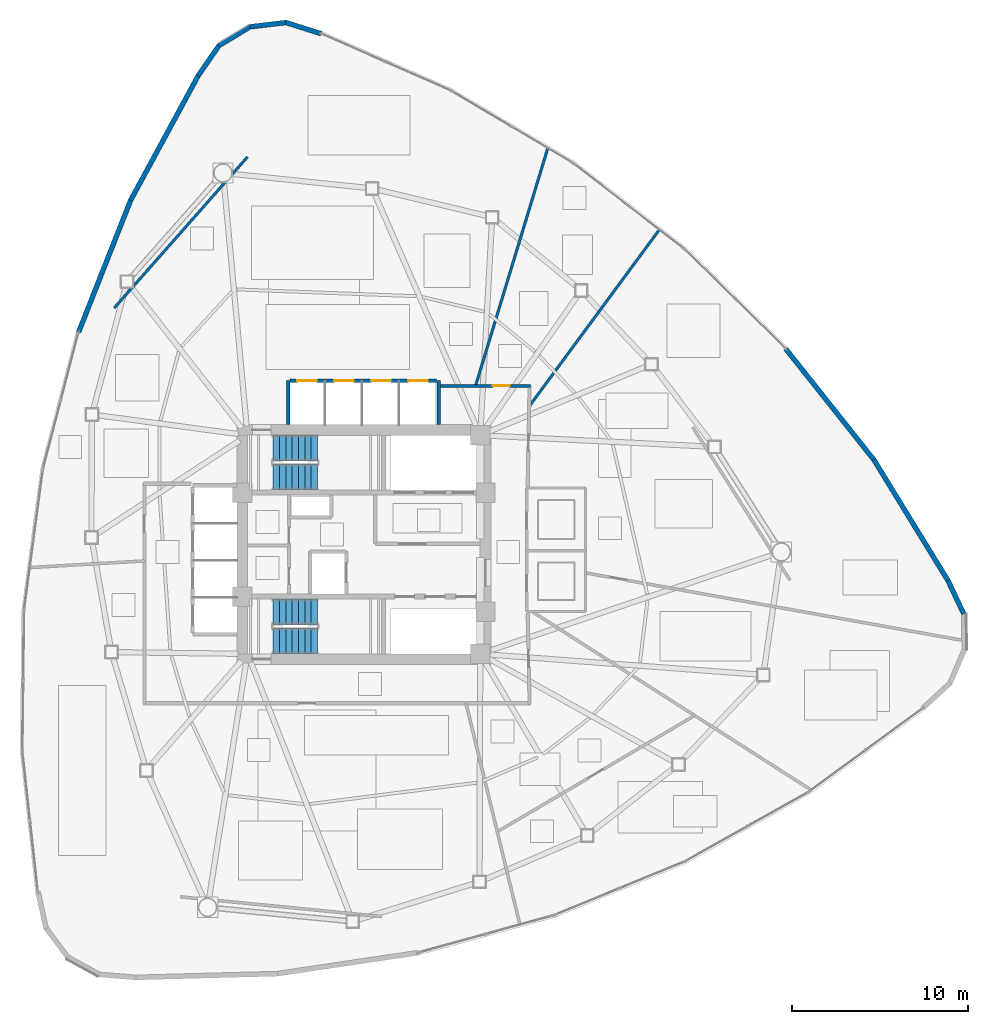
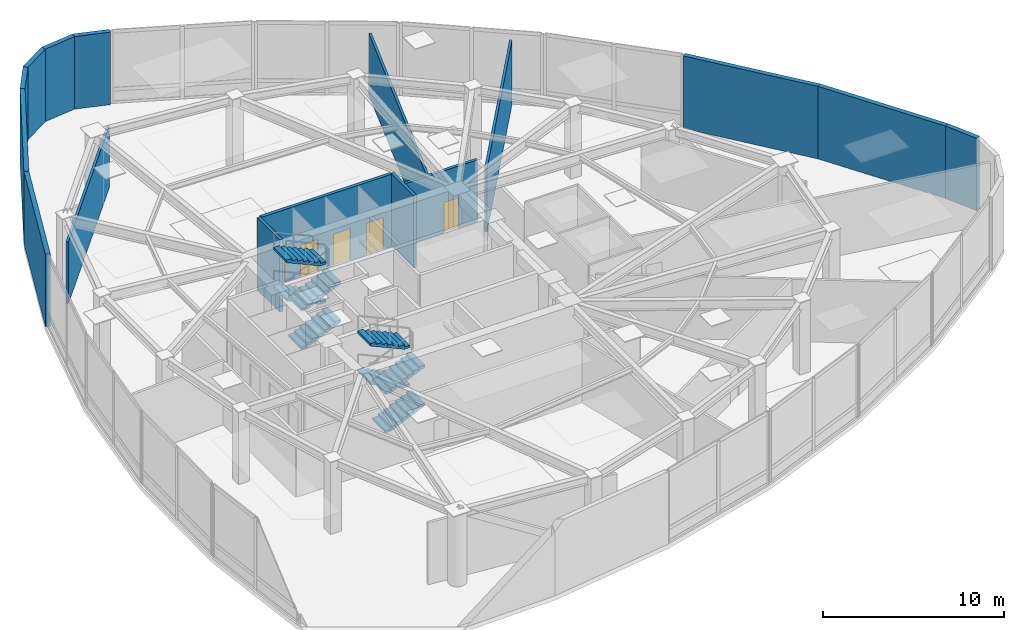
# One storey, part 11 of 14: 16 walls, 8 stair flights, 5 doors, 5 openings, 2 elements without a shape of their own.
"""IFC4 building model written with IfcOpenShell, lengths in metres."""

from ifc_helpers import new_model, si_unit, direction, frame, frame_2d, origin, place, context, subcontext, project, spatial, polyline, rectangle, outline, extrude, material, layer, layer_set, type_object, element, fill, aggregate, save


model = new_model("IFC4")

# Units and contexts
model_context = context("Model", 3, precision=1e-05, world=origin(), true_north=direction((0.0, 1.0)))
body_context = subcontext(model_context, "Body", "Model", "MODEL_VIEW")
ifc_project = project(units=[si_unit("LENGTHUNIT", "METRE"), si_unit("AREAUNIT", "SQUARE_METRE"), si_unit("VOLUMEUNIT", "CUBIC_METRE"), si_unit("PLANEANGLEUNIT", "RADIAN"), si_unit("MASSUNIT", "GRAM", prefix="KILO")], contexts=[model_context])

# Site, building, storey
site_placement = place(None, origin())
site = spatial("IfcSite", under=ifc_project, at=site_placement, CompositionType="ELEMENT")
building_placement = place(site_placement, origin())
building = spatial("IfcBuilding", under=site, at=building_placement, Name="Tavelor Broadcast Tower", CompositionType="ELEMENT")
storey_placement = place(building_placement, frame((0.0, 0.0, 110.39990234375)))
storey = spatial("IfcBuildingStorey", under=building, at=storey_placement, Name="L25", CompositionType="ELEMENT", Elevation=110.39990234375)

# Wall, opening, door
ifc_material_1 = material(Name="Calcium Silicate Fire Board 180 mm", Category="gypsum")
ifc_layer_1 = layer(ifc_material_1, 0.179931640625)
ifc_layer_set_1 = layer_set([ifc_layer_1], Name="Calcium Silicate Fire Board 180 mm")
wall_type_1 = type_object("IfcWallType", Name="Fire-Rated Corridor Partition Wall 180 mm", PredefinedType="PARTITIONING", material=ifc_layer_set_1)
wall_1_placement = place(storey_placement, frame((54.300048828125, 54.0, 0.0), z_axis=(0.0, 0.0, 1.0), x_axis=(1.0, 0.0, 0.0)))
wall_1 = element("IfcWall", 1, at=wall_1_placement, inside=storey, type_object=wall_type_1, Name="L25 Corridor Compartment Wall 01", PredefinedType="PARTITIONING", context=body_context, shape_type="SweptSolid", body=[
    extrude(rectangle(XDim=5.14990234375, YDim=0.179931640625, at=frame_2d((2.574951171875, 0.0))), origin(), (0.0, 0.0, 1.0), 4.18505859375),
])
opening_1_placement = place(wall_1_placement, frame((3.017578125, 0.0, 0.0)))
opening_1 = element("IfcOpeningElement", 2, at=opening_1_placement, cuts=wall_1, Name="Opening DR18", PredefinedType="OPENING", context=body_context, shape_type="SweptSolid", body=[
    extrude(rectangle(XDim=0.949951171875, YDim=2.050048828125, at=frame_2d((0.47509765625, 1.02490234375))), frame((0.0, 0.10009765625, 0.0), z_axis=(0.0, -1.0, 0.0), x_axis=(1.0, 0.0, 0.0)), (0.0, 0.0, 1.0), 0.199951171875),
])
ifc_material_2 = material(Name="Timber Solid Core Hardwood", Category="wood")
door_type_1 = type_object("IfcDoorType", Name="Corridor Rated Compartment Door 950x2050", OperationType="NOTDEFINED", PredefinedType="DOOR", material=ifc_material_2)
door_1_placement = place(opening_1_placement, origin())
door_1 = element("IfcDoor", 3, at=door_1_placement, inside=storey, type_object=door_type_1, Name="L25 Editorial Quiet Study Door R5", OperationType="SINGLE_SWING_LEFT", OverallHeight=2.050048828125, OverallWidth=0.949951171875, PredefinedType="DOOR", context=body_context, shape_type="SweptSolid", body=[
    extrude(rectangle(XDim=0.949951171875, YDim=2.050048828125, at=frame_2d((0.47509765625, 1.02490234375))), frame((0.0, 0.02490234375, 0.0), z_axis=(0.0, -1.0, 0.0), x_axis=(1.0, 0.0, 0.0)), (0.0, 0.0, 1.0), 0.050048828125),
])
fill(opening_1, door_1)

# Walls
ifc_material_3 = material(Name="Precast Concrete C40/50", Category="concrete")
ifc_layer_2 = layer(ifc_material_3, 0.280029296875)
ifc_layer_set_2 = layer_set([ifc_layer_2], Name="Precast Concrete C40/50")
wall_type_2 = type_object("IfcWallType", Name="Insulated Precast Terracotta Facade Wall 280 mm", PredefinedType="STANDARD", material=ifc_layer_set_2)
wall_2_placement = place(storey_placement, frame((47.5712890625, 73.984375, 0.0), z_axis=(0.0, 0.0, 1.0), x_axis=(-0.953436539302, 0.301593709356, 0.0)))
element("IfcWall", 4, at=wall_2_placement, inside=storey, type_object=wall_type_2, Name="L25 Rounded Corner Structural Cladding Pier 01", PredefinedType="STANDARD", context=body_context, shape_type="SweptSolid", body=[
    extrude(rectangle(XDim=2.097412109375, YDim=0.280029296875, at=frame_2d((1.048828125, 0.0))), origin(), (0.0, 0.0, 1.0), 4.900146484375),
])
for number, where, z_axis, x_axis, name in (
    (5, (45.6005859375, 74.6142578125, 0.0), (0.0, 0.0, 1.0), (-0.993056805824, -0.117635795598, 0.0), "L25 Rounded Corner Structural Cladding Pier 02"),
    (6, (43.556884765625, 74.37841796875, 0.0), (0.0, 0.0, 1.0), (-0.856686297677, -0.515837752953, 0.0), "L25 Rounded Corner Structural Cladding Pier 03"),
):
    element("IfcWall", number, at=place(storey_placement, frame(where, z_axis=z_axis, x_axis=x_axis)), inside=storey, type_object=wall_type_2, Name=name, PredefinedType="STANDARD", context=body_context, shape_type="SweptSolid", body=[
        extrude(rectangle(XDim=2.085693359375, YDim=0.280029296875, at=frame_2d((1.04296875, 0.0))), origin(), (0.0, 0.0, 1.0), 4.900146484375),
    ])
wall_3_placement = place(storey_placement, frame((41.79150390625, 73.322509765625, 0.0), z_axis=(0.0, 0.0, 1.0), x_axis=(-0.568649881265, -0.822579669417, 0.0)))
element("IfcWall", 7, at=wall_3_placement, inside=storey, type_object=wall_type_2, Name="L25 Rounded Corner Structural Cladding Pier 04", PredefinedType="STANDARD", context=body_context, shape_type="SweptSolid", body=[
    extrude(rectangle(XDim=2.1083984375, YDim=0.280029296875, at=frame_2d((1.05419921875, 0.0))), origin(), (0.0, 0.0, 1.0), 4.900146484375),
])
wall_4_placement = place(storey_placement, frame((40.608154296875, 71.613525390625, 0.0), z_axis=(0.0, 0.0, 1.0), x_axis=(-0.476798704285, -0.879012511624, 0.0)))
element("IfcWall", 8, at=wall_4_placement, inside=storey, type_object=wall_type_2, Name="L25 Rounded Corner Structural Cladding Pier 05", PredefinedType="STANDARD", context=body_context, shape_type="SweptSolid", body=[
    extrude(rectangle(XDim=8.06884765625, YDim=0.280029296875, at=frame_2d((4.034423828125, 0.0))), origin(), (0.0, 0.0, 1.0), 4.900146484375),
])
wall_5_placement = place(storey_placement, frame((36.773681640625, 64.548095703125, 0.0), z_axis=(0.0, 0.0, 1.0), x_axis=(-0.366929878483, -0.93024860348, 0.0)))
element("IfcWall", 9, at=wall_5_placement, inside=storey, type_object=wall_type_2, Name="L25 Rounded Corner Structural Cladding Pier 06", PredefinedType="STANDARD", context=body_context, shape_type="SweptSolid", body=[
    extrude(rectangle(XDim=8.056884765625, YDim=0.280029296875, at=frame_2d((4.0283203125, 0.0))), origin(), (0.0, 0.0, 1.0), 4.900146484375),
])
wall_6_placement = place(storey_placement, frame((84.032470703125, 41.065185546875, 0.0), z_axis=(0.0, 0.0, 1.0), x_axis=(-0.428170954588, 0.903697755695, 0.0)))
element("IfcWall", 10, at=wall_6_placement, inside=storey, type_object=wall_type_2, Name="L25 Rounded Corner Structural Cladding Pier 24", PredefinedType="STANDARD", context=body_context, shape_type="SweptSolid", body=[
    extrude(rectangle(XDim=2.108642578125, YDim=0.280029296875, at=frame_2d((1.05419921875, 0.0))), origin(), (0.0, 0.0, 1.0), 4.900146484375),
])
wall_7_placement = place(storey_placement, frame((83.14404296875, 42.9443359375, 0.0), z_axis=(0.0, 0.0, 1.0), x_axis=(-0.522840865812, 0.852430307437, 0.0)))
element("IfcWall", 11, at=wall_7_placement, inside=storey, type_object=wall_type_2, Name="L25 Rounded Corner Structural Cladding Pier 25", PredefinedType="STANDARD", context=body_context, shape_type="SweptSolid", body=[
    extrude(rectangle(XDim=8.06884765625, YDim=0.280029296875, at=frame_2d((4.034423828125, 0.0))), origin(), (0.0, 0.0, 1.0), 4.900146484375),
])
wall_8_placement = place(storey_placement, frame((78.9423828125, 49.798095703125, 0.0), z_axis=(0.0, 0.0, 1.0), x_axis=(-0.622164130461, 0.782886833947, 0.0)))
element("IfcWall", 12, at=wall_8_placement, inside=storey, type_object=wall_type_2, Name="L25 Rounded Corner Structural Cladding Pier 26", PredefinedType="STANDARD", context=body_context, shape_type="SweptSolid", body=[
    extrude(rectangle(XDim=8.056884765625, YDim=0.280029296875, at=frame_2d((4.0283203125, 0.0))), origin(), (0.0, 0.0, 1.0), 4.900146484375),
])
ifc_material_4 = material(Name="Gypsum Acoustic Plasterboard 150 mm", Category="gypsum")
ifc_layer_3 = layer(ifc_material_4, 0.14990234375)
ifc_layer_set_3 = layer_set([ifc_layer_3], Name="Gypsum Acoustic Plasterboard 150 mm")
wall_type_3 = type_object("IfcWallType", Name="Interior Acoustic Partition Wall 150 mm", PredefinedType="PARTITIONING", material=ifc_layer_set_3)
wall_9_placement = place(storey_placement, frame((43.399658203125, 66.988525390625, 0.0), z_axis=(0.0, 0.0, 1.0), x_axis=(-0.661622343701, -0.749837231881, 0.0)))
element("IfcWall", 13, at=wall_9_placement, inside=storey, type_object=wall_type_3, Name="L25 Corner Tube Brace Furring Wall 1", PredefinedType="PARTITIONING", context=body_context, shape_type="SweptSolid", body=[
    extrude(rectangle(XDim=11.42724609375, YDim=0.14990234375, at=frame_2d((5.713623046875, 0.0))), origin(), (0.0, 0.0, 1.0), 4.18505859375),
])
wall_10_placement = place(storey_placement, frame((59.377685546875, 52.841796875, 0.0), z_axis=(0.0, 0.0, 1.0), x_axis=(0.593184325991, 0.805066677611, 0.0)))
element("IfcWall", 14, at=wall_10_placement, inside=storey, type_object=wall_type_3, Name="L25 Radial Compartment Wall 04", PredefinedType="PARTITIONING", context=body_context, shape_type="SweptSolid", body=[
    extrude(rectangle(XDim=12.453369140625, YDim=0.14990234375, at=frame_2d((6.2265625, 0.0))), origin(), (0.0, 0.0, 1.0), 4.3251953125),
])
wall_11_placement = place(storey_placement, frame((56.334716796875, 54.0, 0.0), z_axis=(0.0, 0.0, 1.0), x_axis=(0.290737997742, 0.956802705195, 0.0)))
element("IfcWall", 15, at=wall_11_placement, inside=storey, type_object=wall_type_3, Name="L25 Radial Compartment Wall 05", PredefinedType="PARTITIONING", context=body_context, shape_type="SweptSolid", body=[
    extrude(rectangle(XDim=14.10498046875, YDim=0.14990234375, at=frame_2d((7.052490234375, 0.0))), origin(), (0.0, 0.0, 1.0), 4.18505859375),
])

# Wall, openings, doors
ifc_material_5 = material(Name="Concrete Blockwork 200 mm", Category="masonry")
ifc_layer_4 = layer(ifc_material_5, 0.199951171875)
ifc_layer_set_4 = layer_set([ifc_layer_4], Name="Concrete Blockwork 200 mm")
wall_type_4 = type_object("IfcWallType", Name="Lift Hoistway Rated Front Wall 200 mm", PredefinedType="PARTITIONING", material=ifc_layer_set_4)
wall_12_placement = place(storey_placement, frame((45.820068359375, 54.300048828125, 0.0), z_axis=(0.0, 0.0, 1.0), x_axis=(1.0, 0.0, 0.0)))
wall_12 = element("IfcWall", 16, at=wall_12_placement, inside=storey, type_object=wall_type_4, Name="L25 High-Rise Lift Hoistway Front Wall", PredefinedType="PARTITIONING", context=body_context, shape_type="SweptSolid", body=[
    extrude(rectangle(XDim=8.309814453125, YDim=0.199951171875, at=frame_2d((4.15478515625, 0.0))), origin(), (0.0, 0.0, 1.0), 4.900146484375),
])
opening_2_placement = place(wall_12_placement, frame((0.405029296875, 0.0, 0.0)))
opening_2 = element("IfcOpeningElement", 17, at=opening_2_placement, cuts=wall_12, Name="Opening LD01", PredefinedType="OPENING", context=body_context, shape_type="SweptSolid", body=[
    extrude(rectangle(XDim=1.10009765625, YDim=2.14990234375, at=frame_2d((0.550048828125, 1.074951171875))), frame((0.0, 0.10986328125, 0.0), z_axis=(0.0, -1.0, 0.0), x_axis=(1.0, 0.0, 0.0)), (0.0, 0.0, 1.0), 0.219970703125),
])
opening_3_placement = place(wall_12_placement, frame((2.5048828125, 0.0, 0.0)))
opening_3 = element("IfcOpeningElement", 18, at=opening_3_placement, cuts=wall_12, Name="Opening LD01", PredefinedType="OPENING", context=body_context, shape_type="SweptSolid", body=[
    extrude(rectangle(XDim=1.10009765625, YDim=2.14990234375, at=frame_2d((0.550048828125, 1.074951171875))), frame((0.0, 0.10986328125, 0.0), z_axis=(0.0, -1.0, 0.0), x_axis=(1.0, 0.0, 0.0)), (0.0, 0.0, 1.0), 0.219970703125),
])
opening_4_placement = place(wall_12_placement, frame((4.60498046875, 0.0, 0.0)))
opening_4 = element("IfcOpeningElement", 19, at=opening_4_placement, cuts=wall_12, Name="Opening LD01", PredefinedType="OPENING", context=body_context, shape_type="SweptSolid", body=[
    extrude(rectangle(XDim=1.10009765625, YDim=2.14990234375, at=frame_2d((0.550048828125, 1.074951171875))), frame((0.0, 0.10986328125, 0.0), z_axis=(0.0, -1.0, 0.0), x_axis=(1.0, 0.0, 0.0)), (0.0, 0.0, 1.0), 0.219970703125),
])
opening_5_placement = place(wall_12_placement, frame((6.705078125, 0.0, 0.0)))
opening_5 = element("IfcOpeningElement", 20, at=opening_5_placement, cuts=wall_12, Name="Opening LD01", PredefinedType="OPENING", context=body_context, shape_type="SweptSolid", body=[
    extrude(rectangle(XDim=1.10009765625, YDim=2.14990234375, at=frame_2d((0.550048828125, 1.074951171875))), frame((0.0, 0.10986328125, 0.0), z_axis=(0.0, -1.0, 0.0), x_axis=(1.0, 0.0, 0.0)), (0.0, 0.0, 1.0), 0.219970703125),
])
ifc_material_6 = material(Name="Brushed Stainless Steel", Category="steel")
door_type_2 = type_object("IfcDoorType", Name="Passenger Lift Sliding Landing Door 1100x2150", OperationType="NOTDEFINED", PredefinedType="DOOR", material=ifc_material_6)
door_2_placement = place(opening_2_placement, origin())
door_2 = element("IfcDoor", 21, at=door_2_placement, inside=storey, type_object=door_type_2, Name="L25 Lift PLH1 Sliding Landing Door", OperationType="SLIDING_TO_LEFT", OverallHeight=2.14990234375, OverallWidth=1.10009765625, PredefinedType="DOOR", context=body_context, shape_type="SweptSolid", body=[
    extrude(rectangle(XDim=1.10009765625, YDim=2.14990234375, at=frame_2d((0.550048828125, 1.074951171875))), frame((0.0, 0.02490234375, 0.0), z_axis=(0.0, -1.0, 0.0), x_axis=(1.0, 0.0, 0.0)), (0.0, 0.0, 1.0), 0.050048828125),
])
fill(opening_2, door_2)
door_3_placement = place(opening_3_placement, origin())
door_3 = element("IfcDoor", 22, at=door_3_placement, inside=storey, type_object=door_type_2, Name="L25 Lift PLH2 Sliding Landing Door", OperationType="SLIDING_TO_RIGHT", OverallHeight=2.14990234375, OverallWidth=1.10009765625, PredefinedType="DOOR", context=body_context, shape_type="SweptSolid", body=[
    extrude(rectangle(XDim=1.10009765625, YDim=2.14990234375, at=frame_2d((0.550048828125, 1.074951171875))), frame((0.0, 0.02490234375, 0.0), z_axis=(0.0, -1.0, 0.0), x_axis=(1.0, 0.0, 0.0)), (0.0, 0.0, 1.0), 0.050048828125),
])
fill(opening_3, door_3)
door_4_placement = place(opening_4_placement, origin())
door_4 = element("IfcDoor", 23, at=door_4_placement, inside=storey, type_object=door_type_2, Name="L25 Lift PLH3 Sliding Landing Door", OperationType="SLIDING_TO_LEFT", OverallHeight=2.14990234375, OverallWidth=1.10009765625, PredefinedType="DOOR", context=body_context, shape_type="SweptSolid", body=[
    extrude(rectangle(XDim=1.10009765625, YDim=2.14990234375, at=frame_2d((0.550048828125, 1.074951171875))), frame((0.0, 0.02490234375, 0.0), z_axis=(0.0, -1.0, 0.0), x_axis=(1.0, 0.0, 0.0)), (0.0, 0.0, 1.0), 0.050048828125),
])
fill(opening_4, door_4)
door_5_placement = place(opening_5_placement, origin())
door_5 = element("IfcDoor", 24, at=door_5_placement, inside=storey, type_object=door_type_2, Name="L25 Lift PLH4 Sliding Landing Door", OperationType="SLIDING_TO_RIGHT", OverallHeight=2.14990234375, OverallWidth=1.10009765625, PredefinedType="DOOR", context=body_context, shape_type="SweptSolid", body=[
    extrude(rectangle(XDim=1.10009765625, YDim=2.14990234375, at=frame_2d((0.550048828125, 1.074951171875))), frame((0.0, 0.02490234375, 0.0), z_axis=(0.0, -1.0, 0.0), x_axis=(1.0, 0.0, 0.0)), (0.0, 0.0, 1.0), 0.050048828125),
])
fill(opening_5, door_5)

# Walls
ifc_layer_5 = layer(ifc_material_5, 0.199951171875)
ifc_layer_set_5 = layer_set([ifc_layer_5], Name="Concrete Blockwork 200 mm")
wall_type_5 = type_object("IfcWallType", Name="Lift and Riser Shaft Enclosure Wall 200 mm", PredefinedType="PARTITIONING", material=ifc_layer_set_5)
for number, where, z_axis, x_axis, name in (
    (25, (45.699951171875, 51.800048828125, 0.0), (0.0, 0.0, 1.0), (0.0, 1.0, 0.0), "L25 High-Rise Lift Shaft West Wall"),
    (26, (54.25, 51.800048828125, 0.0), (0.0, 0.0, 1.0), (0.0, 1.0, 0.0), "L25 High-Rise Lift Shaft East Wall"),
):
    element("IfcWall", number, at=place(storey_placement, frame(where, z_axis=z_axis, x_axis=x_axis)), inside=storey, type_object=wall_type_5, Name=name, PredefinedType="PARTITIONING", context=body_context, shape_type="SweptSolid", body=[
        extrude(rectangle(XDim=2.5, YDim=0.199951171875, at=frame_2d((1.25, 0.0))), origin(), (0.0, 0.0, 1.0), 4.900146484375),
    ])

# Stair, stair flights
ifc_material_7 = material(Name="Concrete C40/50", Category="concrete")
stair_type = type_object("IfcStairType", Name="Reinforced Concrete Protected Dogleg Stair 1450 mm", PredefinedType="HALF_TURN_STAIR", material=ifc_material_7)
stair_1_placement = place(storey_placement, origin())
stair_1 = element("IfcStair", 27, at=stair_1_placement, inside=storey, type_object=stair_type, Name="L25 Protected Core Exit Stair ST1", PredefinedType="HALF_TURN_STAIR")
stair_flight_type = type_object("IfcStairFlightType", Name="Reinforced Concrete Stair Flight 1450 mm", PredefinedType="STRAIGHT", material=ifc_material_7)
stair_flight_1_placement = place(storey_placement, frame((44.85009765625, 48.824951171875, 0.0), z_axis=(0.0, 0.0, 1.0), x_axis=(1.0, 0.0, 0.0)))
stair_flight_1 = element("IfcStairFlight", 28, at=stair_flight_1_placement, type_object=stair_flight_type, Name="ST1 flight 1", NumberOfRisers=8, NumberOfTreads=7, PredefinedType="STRAIGHT", RiserHeight=0.1625, TreadLength=0.36, context=body_context, shape_type="SweptSolid", body=[
    extrude(outline(polyline([(0.0, 0.0), (0.0, 0.16259765625), (0.360107421875, 0.16259765625), (0.360107421875, 0.324951171875), (0.719970703125, 0.324951171875), (0.719970703125, 0.487548828125), (1.080078125, 0.487548828125), (1.080078125, 0.64990234375), (1.43994140625, 0.64990234375), (1.43994140625, 0.8125), (1.800048828125, 0.8125), (1.800048828125, 0.97509765625), (2.159912109375, 0.97509765625), (2.159912109375, 1.137451171875), (2.52001953125, 1.137451171875), (2.52001953125, 1.300048828125), (2.52001953125, 0.97314453125), (0.3642578125, 0.0), (0.0, 0.0)])), frame((0.0, 0.72509765625, 0.0), z_axis=(0.0, -1.0, 0.0), x_axis=(1.0, 0.0, 0.0)), (0.0, 0.0, 1.0), 1.449951171875),
])
stair_flight_2_placement = place(storey_placement, frame((47.3701171875, 50.47509765625, 1.300048828125), z_axis=(0.0, 0.0, 1.0), x_axis=(-1.0, 0.0, 0.0)))
stair_flight_2 = element("IfcStairFlight", 29, at=stair_flight_2_placement, type_object=stair_flight_type, Name="ST1 flight 2", NumberOfRisers=8, NumberOfTreads=7, PredefinedType="STRAIGHT", RiserHeight=0.1625, TreadLength=0.36, context=body_context, shape_type="SweptSolid", body=[
    extrude(outline(polyline([(0.0, 0.0), (0.0, 0.16259765625), (0.360107421875, 0.16259765625), (0.360107421875, 0.324951171875), (0.719970703125, 0.324951171875), (0.719970703125, 0.487548828125), (1.080078125, 0.487548828125), (1.080078125, 0.64990234375), (1.43994140625, 0.64990234375), (1.43994140625, 0.8125), (1.800048828125, 0.8125), (1.800048828125, 0.97509765625), (2.159912109375, 0.97509765625), (2.159912109375, 1.137451171875), (2.52001953125, 1.137451171875), (2.52001953125, 1.300048828125), (2.52001953125, 0.97314453125), (0.3642578125, 0.0), (0.0, 0.0)])), frame((0.0, 0.72509765625, 0.0), z_axis=(0.0, -1.0, 0.0), x_axis=(1.0, 0.0, 0.0)), (0.0, 0.0, 1.0), 1.449951171875),
])
stair_flight_3_placement = place(storey_placement, frame((44.85009765625, 48.824951171875, 2.60009765625), z_axis=(0.0, 0.0, 1.0), x_axis=(1.0, 0.0, 0.0)))
stair_flight_3 = element("IfcStairFlight", 30, at=stair_flight_3_placement, type_object=stair_flight_type, Name="ST1 flight 3", NumberOfRisers=8, NumberOfTreads=7, PredefinedType="STRAIGHT", RiserHeight=0.1625, TreadLength=0.36, context=body_context, shape_type="SweptSolid", body=[
    extrude(outline(polyline([(0.0, 0.0), (0.0, 0.16259765625), (0.360107421875, 0.16259765625), (0.360107421875, 0.324951171875), (0.719970703125, 0.324951171875), (0.719970703125, 0.487548828125), (1.080078125, 0.487548828125), (1.080078125, 0.64990234375), (1.43994140625, 0.64990234375), (1.43994140625, 0.8125), (1.800048828125, 0.8125), (1.800048828125, 0.97509765625), (2.159912109375, 0.97509765625), (2.159912109375, 1.137451171875), (2.52001953125, 1.137451171875), (2.52001953125, 1.300048828125), (2.52001953125, 0.97314453125), (0.3642578125, 0.0), (0.0, 0.0)])), frame((0.0, 0.72509765625, 0.0), z_axis=(0.0, -1.0, 0.0), x_axis=(1.0, 0.0, 0.0)), (0.0, 0.0, 1.0), 1.449951171875),
])
stair_flight_4_placement = place(storey_placement, frame((47.3701171875, 50.47509765625, 3.900146484375), z_axis=(0.0, 0.0, 1.0), x_axis=(-1.0, 0.0, 0.0)))
stair_flight_4 = element("IfcStairFlight", 31, at=stair_flight_4_placement, type_object=stair_flight_type, Name="ST1 flight 4", NumberOfRisers=8, NumberOfTreads=7, PredefinedType="STRAIGHT", RiserHeight=0.1625, TreadLength=0.36, context=body_context, shape_type="SweptSolid", body=[
    extrude(outline(polyline([(0.0, 0.0), (0.0, 0.16259765625), (0.360107421875, 0.16259765625), (0.360107421875, 0.324951171875), (0.719970703125, 0.324951171875), (0.719970703125, 0.487548828125), (1.080078125, 0.487548828125), (1.080078125, 0.64990234375), (1.43994140625, 0.64990234375), (1.43994140625, 0.8125), (1.800048828125, 0.8125), (1.800048828125, 0.97509765625), (2.159912109375, 0.97509765625), (2.159912109375, 1.137451171875), (2.52001953125, 1.137451171875), (2.52001953125, 1.300048828125), (2.52001953125, 0.97314453125), (0.3642578125, 0.0), (0.0, 0.0)])), frame((0.0, 0.72509765625, 0.0), z_axis=(0.0, -1.0, 0.0), x_axis=(1.0, 0.0, 0.0)), (0.0, 0.0, 1.0), 1.449951171875),
])
aggregate(stair_1, [stair_flight_1, stair_flight_2, stair_flight_3, stair_flight_4])

stair_2_placement = place(storey_placement, origin())
stair_2 = element("IfcStair", 32, at=stair_2_placement, inside=storey, type_object=stair_type, Name="L25 Protected Core Exit Stair ST2", PredefinedType="HALF_TURN_STAIR")
stair_flight_5_placement = place(storey_placement, frame((44.85009765625, 39.52490234375, 0.0), z_axis=(0.0, 0.0, 1.0), x_axis=(1.0, 0.0, 0.0)))
stair_flight_5 = element("IfcStairFlight", 33, at=stair_flight_5_placement, type_object=stair_flight_type, Name="ST2 flight 1", NumberOfRisers=8, NumberOfTreads=7, PredefinedType="STRAIGHT", RiserHeight=0.1625, TreadLength=0.36, context=body_context, shape_type="SweptSolid", body=[
    extrude(outline(polyline([(0.0, 0.0), (0.0, 0.16259765625), (0.360107421875, 0.16259765625), (0.360107421875, 0.324951171875), (0.719970703125, 0.324951171875), (0.719970703125, 0.487548828125), (1.080078125, 0.487548828125), (1.080078125, 0.64990234375), (1.43994140625, 0.64990234375), (1.43994140625, 0.8125), (1.800048828125, 0.8125), (1.800048828125, 0.97509765625), (2.159912109375, 0.97509765625), (2.159912109375, 1.137451171875), (2.52001953125, 1.137451171875), (2.52001953125, 1.300048828125), (2.52001953125, 0.97314453125), (0.3642578125, 0.0), (0.0, 0.0)])), frame((0.0, 0.72509765625, 0.0), z_axis=(0.0, -1.0, 0.0), x_axis=(1.0, 0.0, 0.0)), (0.0, 0.0, 1.0), 1.449951171875),
])
stair_flight_6_placement = place(storey_placement, frame((47.3701171875, 41.175048828125, 1.300048828125), z_axis=(0.0, 0.0, 1.0), x_axis=(-1.0, 0.0, 0.0)))
stair_flight_6 = element("IfcStairFlight", 34, at=stair_flight_6_placement, type_object=stair_flight_type, Name="ST2 flight 2", NumberOfRisers=8, NumberOfTreads=7, PredefinedType="STRAIGHT", RiserHeight=0.1625, TreadLength=0.36, context=body_context, shape_type="SweptSolid", body=[
    extrude(outline(polyline([(0.0, 0.0), (0.0, 0.16259765625), (0.360107421875, 0.16259765625), (0.360107421875, 0.324951171875), (0.719970703125, 0.324951171875), (0.719970703125, 0.487548828125), (1.080078125, 0.487548828125), (1.080078125, 0.64990234375), (1.43994140625, 0.64990234375), (1.43994140625, 0.8125), (1.800048828125, 0.8125), (1.800048828125, 0.97509765625), (2.159912109375, 0.97509765625), (2.159912109375, 1.137451171875), (2.52001953125, 1.137451171875), (2.52001953125, 1.300048828125), (2.52001953125, 0.97314453125), (0.3642578125, 0.0), (0.0, 0.0)])), frame((0.0, 0.72509765625, 0.0), z_axis=(0.0, -1.0, 0.0), x_axis=(1.0, 0.0, 0.0)), (0.0, 0.0, 1.0), 1.449951171875),
])
stair_flight_7_placement = place(storey_placement, frame((44.85009765625, 39.52490234375, 2.60009765625), z_axis=(0.0, 0.0, 1.0), x_axis=(1.0, 0.0, 0.0)))
stair_flight_7 = element("IfcStairFlight", 35, at=stair_flight_7_placement, type_object=stair_flight_type, Name="ST2 flight 3", NumberOfRisers=8, NumberOfTreads=7, PredefinedType="STRAIGHT", RiserHeight=0.1625, TreadLength=0.36, context=body_context, shape_type="SweptSolid", body=[
    extrude(outline(polyline([(0.0, 0.0), (0.0, 0.16259765625), (0.360107421875, 0.16259765625), (0.360107421875, 0.324951171875), (0.719970703125, 0.324951171875), (0.719970703125, 0.487548828125), (1.080078125, 0.487548828125), (1.080078125, 0.64990234375), (1.43994140625, 0.64990234375), (1.43994140625, 0.8125), (1.800048828125, 0.8125), (1.800048828125, 0.97509765625), (2.159912109375, 0.97509765625), (2.159912109375, 1.137451171875), (2.52001953125, 1.137451171875), (2.52001953125, 1.300048828125), (2.52001953125, 0.97314453125), (0.3642578125, 0.0), (0.0, 0.0)])), frame((0.0, 0.72509765625, 0.0), z_axis=(0.0, -1.0, 0.0), x_axis=(1.0, 0.0, 0.0)), (0.0, 0.0, 1.0), 1.449951171875),
])
stair_flight_8_placement = place(storey_placement, frame((47.3701171875, 41.175048828125, 3.900146484375), z_axis=(0.0, 0.0, 1.0), x_axis=(-1.0, 0.0, 0.0)))
stair_flight_8 = element("IfcStairFlight", 36, at=stair_flight_8_placement, type_object=stair_flight_type, Name="ST2 flight 4", NumberOfRisers=8, NumberOfTreads=7, PredefinedType="STRAIGHT", RiserHeight=0.1625, TreadLength=0.36, context=body_context, shape_type="SweptSolid", body=[
    extrude(outline(polyline([(0.0, 0.0), (0.0, 0.16259765625), (0.360107421875, 0.16259765625), (0.360107421875, 0.324951171875), (0.719970703125, 0.324951171875), (0.719970703125, 0.487548828125), (1.080078125, 0.487548828125), (1.080078125, 0.64990234375), (1.43994140625, 0.64990234375), (1.43994140625, 0.8125), (1.800048828125, 0.8125), (1.800048828125, 0.97509765625), (2.159912109375, 0.97509765625), (2.159912109375, 1.137451171875), (2.52001953125, 1.137451171875), (2.52001953125, 1.300048828125), (2.52001953125, 0.97314453125), (0.3642578125, 0.0), (0.0, 0.0)])), frame((0.0, 0.72509765625, 0.0), z_axis=(0.0, -1.0, 0.0), x_axis=(1.0, 0.0, 0.0)), (0.0, 0.0, 1.0), 1.449951171875),
])
aggregate(stair_2, [stair_flight_5, stair_flight_6, stair_flight_7, stair_flight_8])

save(model, "model.ifc")
